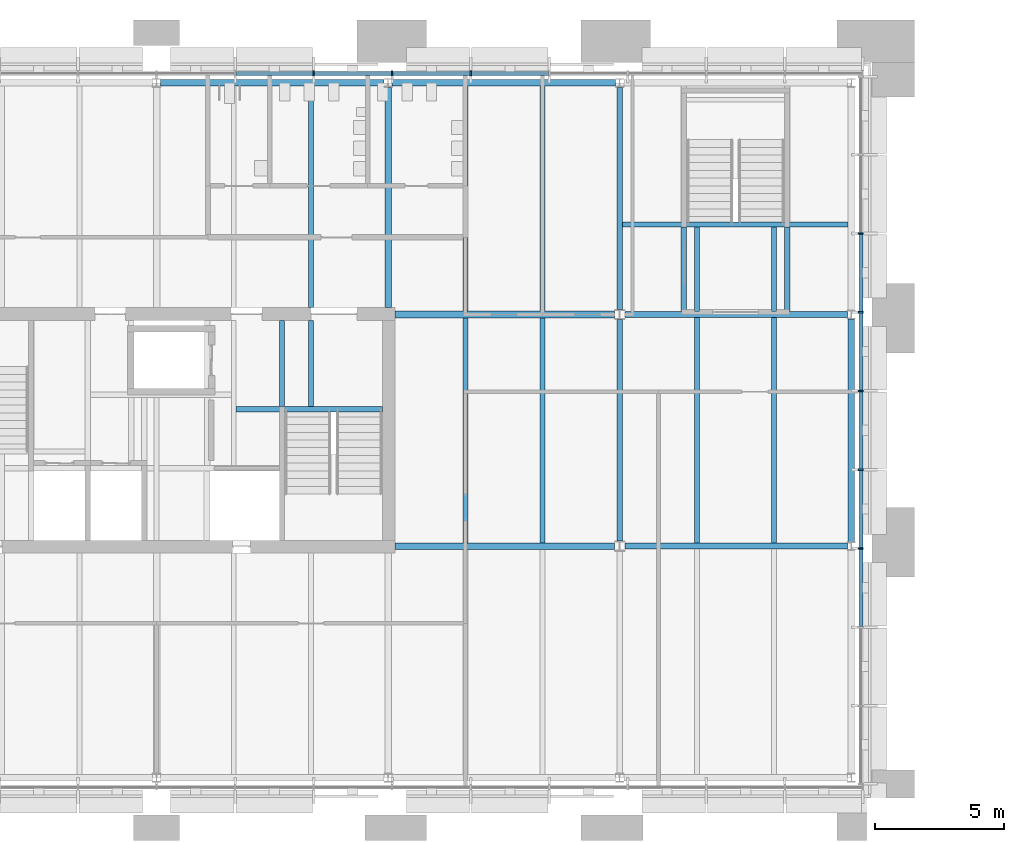
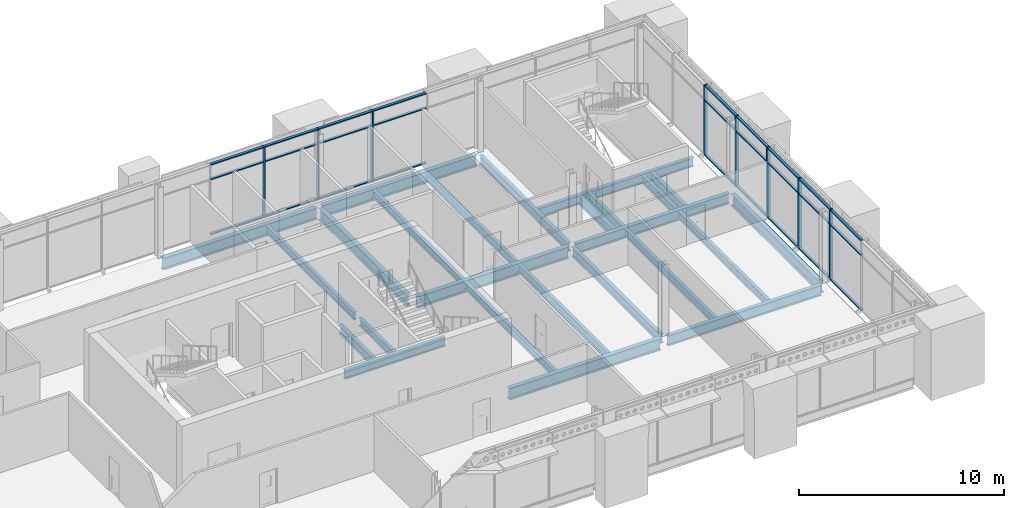
# One storey, part 15 of 37: 35 members, 25 beams, 2 elements without a shape of their own.
"""IFC4 building model written with IfcOpenShell, lengths in metres."""

from ifc_helpers import new_model, si_unit, direction, frame, origin, origin_2d, place, context, subcontext, project, spatial, rectangle, i_section, extrude, material, material_profile, profile_set, type_object, element, aggregate, save


model = new_model("IFC4")

# Units and contexts
model_context = context("Model", 3, precision=1e-05, world=origin(), true_north=direction((0.0, 1.0)))
body_context = subcontext(model_context, "Body", "Model", "MODEL_VIEW")
ifc_project = project(units=[si_unit("LENGTHUNIT", "METRE"), si_unit("AREAUNIT", "SQUARE_METRE"), si_unit("VOLUMEUNIT", "CUBIC_METRE"), si_unit("PLANEANGLEUNIT", "RADIAN"), si_unit("MASSUNIT", "GRAM", prefix="KILO")], contexts=[model_context])

# Site, building, storey
site_placement = place(None, origin())
site = spatial("IfcSite", under=ifc_project, at=site_placement, CompositionType="ELEMENT")
building_placement = place(site_placement, origin())
building = spatial("IfcBuilding", under=site, at=building_placement, Name="Baradari Gate Terminus", CompositionType="ELEMENT")
storey_placement = place(building_placement, frame((0.0, 0.0, 24.300048828125)))
storey = spatial("IfcBuildingStorey", under=building, at=storey_placement, Name="L05", CompositionType="ELEMENT", Elevation=24.300048828125)

# Beams
ifc_material_1 = material(Name="Steel S355", Category="steel")
ifc_material_profile_1 = material_profile(ifc_material_1, i_section(OverallWidth=0.19140625, OverallDepth=0.4599609375, WebThickness=0.010009765625, FlangeThickness=0.01611328125, FilletRadius=0.01025390625, at=origin_2d()), Name="UB 457x191x82")
ifc_profile_set_1 = profile_set([ifc_material_profile_1], Name="Steel S355")
beam_type_1 = type_object("IfcBeamType", Name="Core floor beam B23 UB 457x191x82", PredefinedType="BEAM", material=ifc_profile_set_1)
beam_1_placement = place(storey_placement, frame((42.0, 131.4296875, -0.360107421875), z_axis=(0.0, 1.0, 0.0), x_axis=(-1.0, 0.0, 0.0)))
element("IfcBeam", 1, at=beam_1_placement, inside=storey, type_object=beam_type_1, Name="Core floor beam B23 42:131.43-134.775 L05", PredefinedType="BEAM", context=body_context, shape_type="SweptSolid", body=[
    extrude(i_section(OverallWidth=0.19140625, OverallDepth=0.4599609375, WebThickness=0.010009765625, FlangeThickness=0.01611328125, FilletRadius=0.01025390625, at=origin_2d()), origin(), (0.0, 0.0, 1.0), 3.34521484375),
])
ifc_material_2 = material(Name="Steel S355", Category="steel")
ifc_material_profile_2 = material_profile(ifc_material_2, i_section(OverallWidth=0.209228515625, OverallDepth=0.533203125, WebThickness=0.010009765625, FlangeThickness=0.015625, FilletRadius=0.0126953125, at=origin_2d()), Name="UB 533x210x92")
ifc_profile_set_2 = profile_set([ifc_material_profile_2], Name="Steel S355")
beam_type_2 = type_object("IfcBeamType", Name="Core floor trimmer beam B22 UB 533x210x92", PredefinedType="BEAM", material=ifc_profile_set_2)
beam_2_placement = place(storey_placement, frame((39.095703125, 131.324951171875, -0.396484375), z_axis=(1.0, 0.0, 0.0), x_axis=(0.0, 1.0, 0.0)))
element("IfcBeam", 2, at=beam_2_placement, inside=storey, type_object=beam_type_2, Name="Core floor trimmer beam B22 131.325:39.096-44.775 L05", PredefinedType="BEAM", context=body_context, shape_type="SweptSolid", body=[
    extrude(i_section(OverallWidth=0.209228515625, OverallDepth=0.533203125, WebThickness=0.010009765625, FlangeThickness=0.015625, FilletRadius=0.0126953125, at=origin_2d()), origin(), (0.0, 0.0, 1.0), 5.67919921875),
])
beam_3_placement = place(storey_placement, frame((40.875, 131.4296875, -0.396484375), z_axis=(0.0, 1.0, 0.0), x_axis=(-1.0, 0.0, 0.0)))
element("IfcBeam", 3, at=beam_3_placement, inside=storey, type_object=beam_type_2, Name="Core floor trimmer beam B22 40.875:131.43-134.775 L05", PredefinedType="BEAM", context=body_context, shape_type="SweptSolid", body=[
    extrude(i_section(OverallWidth=0.209228515625, OverallDepth=0.533203125, WebThickness=0.010009765625, FlangeThickness=0.015625, FilletRadius=0.0126953125, at=origin_2d()), origin(), (0.0, 0.0, 1.0), 3.34521484375),
])

# Curtain wall, members
ifc_material_3 = material(Name="Aluminium 6063-T6", Category="aluminium")
curtain_wall_type = type_object("IfcCurtainWallType", Name="Curtain wall CW-1 block unitised, zone L02-L05", PredefinedType="NOTDEFINED", material=ifc_material_3)
curtain_wall_1_placement = place(storey_placement, origin())
curtain_wall_1 = element("IfcCurtainWall", 4, at=curtain_wall_1_placement, inside=storey, type_object=curtain_wall_type, Name="Curtain wall CW-1 Operations block N face L05", PredefinedType="NOTDEFINED")
ifc_material_4 = material(Name="Aluminium 6063-T6", Category="aluminium")
ifc_material_profile_3 = material_profile(ifc_material_4, rectangle(XDim=0.199951171875, YDim=0.06494140625, at=origin_2d()), Name="CM-1 65X200")
ifc_profile_set_3 = profile_set([ifc_material_profile_3], Name="Aluminium 6063-T6")
member_type_1 = type_object("IfcMemberType", Name="Curtain wall mullion CM-1 65x200", PredefinedType="MULLION", material=ifc_profile_set_3)
member_1_placement = place(storey_placement, frame((42.1044921875, 144.3701171875, 0.0), z_axis=(0.0, 0.0, 1.0), x_axis=(0.0, 1.0, 0.0)))
member_1 = element("IfcMember", 5, at=member_1_placement, type_object=member_type_1, Name="CW-1 mullion 12", PredefinedType="MULLION", context=body_context, shape_type="SweptSolid", body=[
    extrude(rectangle(XDim=0.199951171875, YDim=0.06494140625, at=origin_2d()), origin(), (0.0, 0.0, 1.0), 4.199951171875),
])
member_2_placement = place(storey_placement, frame((45.15673828125, 144.3701171875, 0.0), z_axis=(0.0, 0.0, 1.0), x_axis=(0.0, 1.0, 0.0)))
member_2 = element("IfcMember", 6, at=member_2_placement, type_object=member_type_1, Name="CW-1 mullion 13", PredefinedType="MULLION", context=body_context, shape_type="SweptSolid", body=[
    extrude(rectangle(XDim=0.199951171875, YDim=0.06494140625, at=origin_2d()), origin(), (0.0, 0.0, 1.0), 4.199951171875),
])
member_3_placement = place(storey_placement, frame((48.208984375, 144.3701171875, 0.0), z_axis=(0.0, 0.0, 1.0), x_axis=(0.0, 1.0, 0.0)))
member_3 = element("IfcMember", 7, at=member_3_placement, type_object=member_type_1, Name="CW-1 mullion 14", PredefinedType="MULLION", context=body_context, shape_type="SweptSolid", body=[
    extrude(rectangle(XDim=0.199951171875, YDim=0.06494140625, at=origin_2d()), origin(), (0.0, 0.0, 1.0), 4.199951171875),
])

curtain_wall_2_placement = place(storey_placement, origin())
curtain_wall_2 = element("IfcCurtainWall", 8, at=curtain_wall_2_placement, inside=storey, type_object=curtain_wall_type, Name="Curtain wall CW-1 Operations block E face L05", PredefinedType="NOTDEFINED")
member_4_placement = place(storey_placement, frame((63.3701171875, 125.909912109375, 0.0), z_axis=(0.0, 0.0, 1.0), x_axis=(-1.0, 0.0, 0.0)))
member_4 = element("IfcMember", 9, at=member_4_placement, type_object=member_type_1, Name="CW-1 mullion 4", PredefinedType="MULLION", context=body_context, shape_type="SweptSolid", body=[
    extrude(rectangle(XDim=0.199951171875, YDim=0.06494140625, at=origin_2d()), origin(), (0.0, 0.0, 1.0), 4.199951171875),
])
member_5_placement = place(storey_placement, frame((63.3701171875, 128.969970703125, 0.0), z_axis=(0.0, 0.0, 1.0), x_axis=(-1.0, 0.0, 0.0)))
member_5 = element("IfcMember", 10, at=member_5_placement, type_object=member_type_1, Name="CW-1 mullion 5", PredefinedType="MULLION", context=body_context, shape_type="SweptSolid", body=[
    extrude(rectangle(XDim=0.199951171875, YDim=0.06494140625, at=origin_2d()), origin(), (0.0, 0.0, 1.0), 4.199951171875),
])
member_6_placement = place(storey_placement, frame((63.3701171875, 132.030029296875, 0.0), z_axis=(0.0, 0.0, 1.0), x_axis=(-1.0, 0.0, 0.0)))
member_6 = element("IfcMember", 11, at=member_6_placement, type_object=member_type_1, Name="CW-1 mullion 6", PredefinedType="MULLION", context=body_context, shape_type="SweptSolid", body=[
    extrude(rectangle(XDim=0.199951171875, YDim=0.06494140625, at=origin_2d()), origin(), (0.0, 0.0, 1.0), 4.199951171875),
])
member_7_placement = place(storey_placement, frame((63.3701171875, 135.090087890625, 0.0), z_axis=(0.0, 0.0, 1.0), x_axis=(-1.0, 0.0, 0.0)))
member_7 = element("IfcMember", 12, at=member_7_placement, type_object=member_type_1, Name="CW-1 mullion 7", PredefinedType="MULLION", context=body_context, shape_type="SweptSolid", body=[
    extrude(rectangle(XDim=0.199951171875, YDim=0.06494140625, at=origin_2d()), origin(), (0.0, 0.0, 1.0), 4.199951171875),
])
member_8_placement = place(storey_placement, frame((63.3701171875, 138.14990234375, 0.0), z_axis=(0.0, 0.0, 1.0), x_axis=(-1.0, 0.0, 0.0)))
member_8 = element("IfcMember", 13, at=member_8_placement, type_object=member_type_1, Name="CW-1 mullion 8", PredefinedType="MULLION", context=body_context, shape_type="SweptSolid", body=[
    extrude(rectangle(XDim=0.199951171875, YDim=0.06494140625, at=origin_2d()), origin(), (0.0, 0.0, 1.0), 4.199951171875),
])

# Member
ifc_material_5 = material(Name="Aluminium 6063-T6", Category="aluminium")
ifc_material_profile_4 = material_profile(ifc_material_5, rectangle(XDim=0.14990234375, YDim=0.06494140625, at=origin_2d()), Name="CT-1 65X150")
ifc_profile_set_4 = profile_set([ifc_material_profile_4], Name="Aluminium 6063-T6")
member_type_2 = type_object("IfcMemberType", Name="Curtain wall transom CT-1 65x150", PredefinedType="USERDEFINED", material=ifc_profile_set_4)
member_9_placement = place(storey_placement, frame((39.084716796875, 144.3701171875, 0.032470703125), z_axis=(1.0, 0.0, 0.0), x_axis=(0.0, 1.0, 0.0)))
member_9 = element("IfcMember", 14, at=member_9_placement, type_object=member_type_2, Name="CW-1 transom 11.1", ObjectType="TRANSOM", PredefinedType="USERDEFINED", context=body_context, shape_type="SweptSolid", body=[
    extrude(rectangle(XDim=0.14990234375, YDim=0.06494140625, at=origin_2d()), origin(), (0.0, 0.0, 1.0), 2.9873046875),
])

member_10_placement = place(storey_placement, frame((39.084716796875, 144.3701171875, 3.300048828125), z_axis=(1.0, 0.0, 0.0), x_axis=(0.0, 1.0, 0.0)))
member_10 = element("IfcMember", 15, at=member_10_placement, type_object=member_type_2, Name="CW-1 transom 11.2", ObjectType="TRANSOM", PredefinedType="USERDEFINED", context=body_context, shape_type="SweptSolid", body=[
    extrude(rectangle(XDim=0.14990234375, YDim=0.06494140625, at=origin_2d()), origin(), (0.0, 0.0, 1.0), 2.9873046875),
])

member_11_placement = place(storey_placement, frame((39.084716796875, 144.3701171875, 4.16748046875), z_axis=(1.0, 0.0, 0.0), x_axis=(0.0, 1.0, 0.0)))
member_11 = element("IfcMember", 16, at=member_11_placement, type_object=member_type_2, Name="CW-1 transom 11.3", ObjectType="TRANSOM", PredefinedType="USERDEFINED", context=body_context, shape_type="SweptSolid", body=[
    extrude(rectangle(XDim=0.14990234375, YDim=0.06494140625, at=origin_2d()), origin(), (0.0, 0.0, 1.0), 2.9873046875),
])

member_12_placement = place(storey_placement, frame((42.136962890625, 144.3701171875, 0.032470703125), z_axis=(1.0, 0.0, 0.0), x_axis=(0.0, 1.0, 0.0)))
member_12 = element("IfcMember", 17, at=member_12_placement, type_object=member_type_2, Name="CW-1 transom 12.1", ObjectType="TRANSOM", PredefinedType="USERDEFINED", context=body_context, shape_type="SweptSolid", body=[
    extrude(rectangle(XDim=0.14990234375, YDim=0.06494140625, at=origin_2d()), origin(), (0.0, 0.0, 1.0), 2.9873046875),
])

member_13_placement = place(storey_placement, frame((42.136962890625, 144.3701171875, 3.300048828125), z_axis=(1.0, 0.0, 0.0), x_axis=(0.0, 1.0, 0.0)))
member_13 = element("IfcMember", 18, at=member_13_placement, type_object=member_type_2, Name="CW-1 transom 12.2", ObjectType="TRANSOM", PredefinedType="USERDEFINED", context=body_context, shape_type="SweptSolid", body=[
    extrude(rectangle(XDim=0.14990234375, YDim=0.06494140625, at=origin_2d()), origin(), (0.0, 0.0, 1.0), 2.9873046875),
])

member_14_placement = place(storey_placement, frame((42.136962890625, 144.3701171875, 4.16748046875), z_axis=(1.0, 0.0, 0.0), x_axis=(0.0, 1.0, 0.0)))
member_14 = element("IfcMember", 19, at=member_14_placement, type_object=member_type_2, Name="CW-1 transom 12.3", ObjectType="TRANSOM", PredefinedType="USERDEFINED", context=body_context, shape_type="SweptSolid", body=[
    extrude(rectangle(XDim=0.14990234375, YDim=0.06494140625, at=origin_2d()), origin(), (0.0, 0.0, 1.0), 2.9873046875),
])

member_15_placement = place(storey_placement, frame((45.189208984375, 144.3701171875, 0.032470703125), z_axis=(1.0, 0.0, 0.0), x_axis=(0.0, 1.0, 0.0)))
member_15 = element("IfcMember", 20, at=member_15_placement, type_object=member_type_2, Name="CW-1 transom 13.1", ObjectType="TRANSOM", PredefinedType="USERDEFINED", context=body_context, shape_type="SweptSolid", body=[
    extrude(rectangle(XDim=0.14990234375, YDim=0.06494140625, at=origin_2d()), origin(), (0.0, 0.0, 1.0), 2.987060546875),
])

member_16_placement = place(storey_placement, frame((45.189208984375, 144.3701171875, 3.300048828125), z_axis=(1.0, 0.0, 0.0), x_axis=(0.0, 1.0, 0.0)))
member_16 = element("IfcMember", 21, at=member_16_placement, type_object=member_type_2, Name="CW-1 transom 13.2", ObjectType="TRANSOM", PredefinedType="USERDEFINED", context=body_context, shape_type="SweptSolid", body=[
    extrude(rectangle(XDim=0.14990234375, YDim=0.06494140625, at=origin_2d()), origin(), (0.0, 0.0, 1.0), 2.987060546875),
])

member_17_placement = place(storey_placement, frame((45.189208984375, 144.3701171875, 4.16748046875), z_axis=(1.0, 0.0, 0.0), x_axis=(0.0, 1.0, 0.0)))
member_17 = element("IfcMember", 22, at=member_17_placement, type_object=member_type_2, Name="CW-1 transom 13.3", ObjectType="TRANSOM", PredefinedType="USERDEFINED", context=body_context, shape_type="SweptSolid", body=[
    extrude(rectangle(XDim=0.14990234375, YDim=0.06494140625, at=origin_2d()), origin(), (0.0, 0.0, 1.0), 2.987060546875),
])

member_18_placement = place(storey_placement, frame((48.241455078125, 144.3701171875, 0.032470703125), z_axis=(1.0, 0.0, 0.0), x_axis=(0.0, 1.0, 0.0)))
member_18 = element("IfcMember", 23, at=member_18_placement, type_object=member_type_2, Name="CW-1 transom 14.1", ObjectType="TRANSOM", PredefinedType="USERDEFINED", context=body_context, shape_type="SweptSolid", body=[
    extrude(rectangle(XDim=0.14990234375, YDim=0.06494140625, at=origin_2d()), origin(), (0.0, 0.0, 1.0), 2.987060546875),
])

member_19_placement = place(storey_placement, frame((48.241455078125, 144.3701171875, 3.300048828125), z_axis=(1.0, 0.0, 0.0), x_axis=(0.0, 1.0, 0.0)))
member_19 = element("IfcMember", 24, at=member_19_placement, type_object=member_type_2, Name="CW-1 transom 14.2", ObjectType="TRANSOM", PredefinedType="USERDEFINED", context=body_context, shape_type="SweptSolid", body=[
    extrude(rectangle(XDim=0.14990234375, YDim=0.06494140625, at=origin_2d()), origin(), (0.0, 0.0, 1.0), 2.987060546875),
])

member_20_placement = place(storey_placement, frame((48.241455078125, 144.3701171875, 4.16748046875), z_axis=(1.0, 0.0, 0.0), x_axis=(0.0, 1.0, 0.0)))
member_20 = element("IfcMember", 25, at=member_20_placement, type_object=member_type_2, Name="CW-1 transom 14.3", ObjectType="TRANSOM", PredefinedType="USERDEFINED", context=body_context, shape_type="SweptSolid", body=[
    extrude(rectangle(XDim=0.14990234375, YDim=0.06494140625, at=origin_2d()), origin(), (0.0, 0.0, 1.0), 2.987060546875),
])

aggregate(curtain_wall_1, [member_1, member_2, member_3, member_9, member_10, member_11, member_12, member_13, member_14, member_15, member_16, member_17, member_18, member_19, member_20])

member_21_placement = place(storey_placement, frame((63.3701171875, 122.882568359375, 0.032470703125), z_axis=(0.0, 1.0, 0.0), x_axis=(-1.0, 0.0, 0.0)))
member_21 = element("IfcMember", 26, at=member_21_placement, type_object=member_type_2, Name="CW-1 transom 3.1", ObjectType="TRANSOM", PredefinedType="USERDEFINED", context=body_context, shape_type="SweptSolid", body=[
    extrude(rectangle(XDim=0.14990234375, YDim=0.06494140625, at=origin_2d()), origin(), (0.0, 0.0, 1.0), 2.994873046875),
])

member_22_placement = place(storey_placement, frame((63.3701171875, 122.882568359375, 3.300048828125), z_axis=(0.0, 1.0, 0.0), x_axis=(-1.0, 0.0, 0.0)))
member_22 = element("IfcMember", 27, at=member_22_placement, type_object=member_type_2, Name="CW-1 transom 3.2", ObjectType="TRANSOM", PredefinedType="USERDEFINED", context=body_context, shape_type="SweptSolid", body=[
    extrude(rectangle(XDim=0.14990234375, YDim=0.06494140625, at=origin_2d()), origin(), (0.0, 0.0, 1.0), 2.994873046875),
])

member_23_placement = place(storey_placement, frame((63.3701171875, 122.882568359375, 4.16748046875), z_axis=(0.0, 1.0, 0.0), x_axis=(-1.0, 0.0, 0.0)))
member_23 = element("IfcMember", 28, at=member_23_placement, type_object=member_type_2, Name="CW-1 transom 3.3", ObjectType="TRANSOM", PredefinedType="USERDEFINED", context=body_context, shape_type="SweptSolid", body=[
    extrude(rectangle(XDim=0.14990234375, YDim=0.06494140625, at=origin_2d()), origin(), (0.0, 0.0, 1.0), 2.994873046875),
])

member_24_placement = place(storey_placement, frame((63.3701171875, 125.9423828125, 0.032470703125), z_axis=(0.0, 1.0, 0.0), x_axis=(-1.0, 0.0, 0.0)))
member_24 = element("IfcMember", 29, at=member_24_placement, type_object=member_type_2, Name="CW-1 transom 4.1", ObjectType="TRANSOM", PredefinedType="USERDEFINED", context=body_context, shape_type="SweptSolid", body=[
    extrude(rectangle(XDim=0.14990234375, YDim=0.06494140625, at=origin_2d()), origin(), (0.0, 0.0, 1.0), 2.9951171875),
])

member_25_placement = place(storey_placement, frame((63.3701171875, 125.9423828125, 3.300048828125), z_axis=(0.0, 1.0, 0.0), x_axis=(-1.0, 0.0, 0.0)))
member_25 = element("IfcMember", 30, at=member_25_placement, type_object=member_type_2, Name="CW-1 transom 4.2", ObjectType="TRANSOM", PredefinedType="USERDEFINED", context=body_context, shape_type="SweptSolid", body=[
    extrude(rectangle(XDim=0.14990234375, YDim=0.06494140625, at=origin_2d()), origin(), (0.0, 0.0, 1.0), 2.9951171875),
])

member_26_placement = place(storey_placement, frame((63.3701171875, 125.9423828125, 4.16748046875), z_axis=(0.0, 1.0, 0.0), x_axis=(-1.0, 0.0, 0.0)))
member_26 = element("IfcMember", 31, at=member_26_placement, type_object=member_type_2, Name="CW-1 transom 4.3", ObjectType="TRANSOM", PredefinedType="USERDEFINED", context=body_context, shape_type="SweptSolid", body=[
    extrude(rectangle(XDim=0.14990234375, YDim=0.06494140625, at=origin_2d()), origin(), (0.0, 0.0, 1.0), 2.9951171875),
])

member_27_placement = place(storey_placement, frame((63.3701171875, 129.00244140625, 0.032470703125), z_axis=(0.0, 1.0, 0.0), x_axis=(-1.0, 0.0, 0.0)))
member_27 = element("IfcMember", 32, at=member_27_placement, type_object=member_type_2, Name="CW-1 transom 5.1", ObjectType="TRANSOM", PredefinedType="USERDEFINED", context=body_context, shape_type="SweptSolid", body=[
    extrude(rectangle(XDim=0.14990234375, YDim=0.06494140625, at=origin_2d()), origin(), (0.0, 0.0, 1.0), 2.9951171875),
])

member_28_placement = place(storey_placement, frame((63.3701171875, 129.00244140625, 3.300048828125), z_axis=(0.0, 1.0, 0.0), x_axis=(-1.0, 0.0, 0.0)))
member_28 = element("IfcMember", 33, at=member_28_placement, type_object=member_type_2, Name="CW-1 transom 5.2", ObjectType="TRANSOM", PredefinedType="USERDEFINED", context=body_context, shape_type="SweptSolid", body=[
    extrude(rectangle(XDim=0.14990234375, YDim=0.06494140625, at=origin_2d()), origin(), (0.0, 0.0, 1.0), 2.9951171875),
])

member_29_placement = place(storey_placement, frame((63.3701171875, 129.00244140625, 4.16748046875), z_axis=(0.0, 1.0, 0.0), x_axis=(-1.0, 0.0, 0.0)))
member_29 = element("IfcMember", 34, at=member_29_placement, type_object=member_type_2, Name="CW-1 transom 5.3", ObjectType="TRANSOM", PredefinedType="USERDEFINED", context=body_context, shape_type="SweptSolid", body=[
    extrude(rectangle(XDim=0.14990234375, YDim=0.06494140625, at=origin_2d()), origin(), (0.0, 0.0, 1.0), 2.9951171875),
])

member_30_placement = place(storey_placement, frame((63.3701171875, 132.0625, 0.032470703125), z_axis=(0.0, 1.0, 0.0), x_axis=(-1.0, 0.0, 0.0)))
member_30 = element("IfcMember", 35, at=member_30_placement, type_object=member_type_2, Name="CW-1 transom 6.1", ObjectType="TRANSOM", PredefinedType="USERDEFINED", context=body_context, shape_type="SweptSolid", body=[
    extrude(rectangle(XDim=0.14990234375, YDim=0.06494140625, at=origin_2d()), origin(), (0.0, 0.0, 1.0), 2.9951171875),
])

member_31_placement = place(storey_placement, frame((63.3701171875, 132.0625, 3.300048828125), z_axis=(0.0, 1.0, 0.0), x_axis=(-1.0, 0.0, 0.0)))
member_31 = element("IfcMember", 36, at=member_31_placement, type_object=member_type_2, Name="CW-1 transom 6.2", ObjectType="TRANSOM", PredefinedType="USERDEFINED", context=body_context, shape_type="SweptSolid", body=[
    extrude(rectangle(XDim=0.14990234375, YDim=0.06494140625, at=origin_2d()), origin(), (0.0, 0.0, 1.0), 2.9951171875),
])

member_32_placement = place(storey_placement, frame((63.3701171875, 132.0625, 4.16748046875), z_axis=(0.0, 1.0, 0.0), x_axis=(-1.0, 0.0, 0.0)))
member_32 = element("IfcMember", 37, at=member_32_placement, type_object=member_type_2, Name="CW-1 transom 6.3", ObjectType="TRANSOM", PredefinedType="USERDEFINED", context=body_context, shape_type="SweptSolid", body=[
    extrude(rectangle(XDim=0.14990234375, YDim=0.06494140625, at=origin_2d()), origin(), (0.0, 0.0, 1.0), 2.9951171875),
])

member_33_placement = place(storey_placement, frame((63.3701171875, 135.12255859375, 0.032470703125), z_axis=(0.0, 1.0, 0.0), x_axis=(-1.0, 0.0, 0.0)))
member_33 = element("IfcMember", 38, at=member_33_placement, type_object=member_type_2, Name="CW-1 transom 7.1", ObjectType="TRANSOM", PredefinedType="USERDEFINED", context=body_context, shape_type="SweptSolid", body=[
    extrude(rectangle(XDim=0.14990234375, YDim=0.06494140625, at=origin_2d()), origin(), (0.0, 0.0, 1.0), 2.994873046875),
])

member_34_placement = place(storey_placement, frame((63.3701171875, 135.12255859375, 3.300048828125), z_axis=(0.0, 1.0, 0.0), x_axis=(-1.0, 0.0, 0.0)))
member_34 = element("IfcMember", 39, at=member_34_placement, type_object=member_type_2, Name="CW-1 transom 7.2", ObjectType="TRANSOM", PredefinedType="USERDEFINED", context=body_context, shape_type="SweptSolid", body=[
    extrude(rectangle(XDim=0.14990234375, YDim=0.06494140625, at=origin_2d()), origin(), (0.0, 0.0, 1.0), 2.994873046875),
])

member_35_placement = place(storey_placement, frame((63.3701171875, 135.12255859375, 4.16748046875), z_axis=(0.0, 1.0, 0.0), x_axis=(-1.0, 0.0, 0.0)))
member_35 = element("IfcMember", 40, at=member_35_placement, type_object=member_type_2, Name="CW-1 transom 7.3", ObjectType="TRANSOM", PredefinedType="USERDEFINED", context=body_context, shape_type="SweptSolid", body=[
    extrude(rectangle(XDim=0.14990234375, YDim=0.06494140625, at=origin_2d()), origin(), (0.0, 0.0, 1.0), 2.994873046875),
])

aggregate(curtain_wall_2, [member_4, member_5, member_6, member_7, member_8, member_21, member_22, member_23, member_24, member_25, member_26, member_27, member_28, member_29, member_30, member_31, member_32, member_33, member_34, member_35])

# Beams
ifc_material_6 = material(Name="Steel S355", Category="steel")
ifc_material_profile_5 = material_profile(ifc_material_6, i_section(OverallWidth=0.25439453125, OverallDepth=0.6875, WebThickness=0.01318359375, FlangeThickness=0.02099609375, FilletRadius=0.01513671875, at=origin_2d()), Name="UB 686x254x152")
ifc_profile_set_5 = profile_set([ifc_material_profile_5], Name="Steel S355")
beam_type_3 = type_object("IfcBeamType", Name="Operations block coupling beam B26 UB 686x254x152", PredefinedType="BEAM", material=ifc_profile_set_5)
for number, where, z_axis, x_axis, name in (
    (41, (45.27490234375, 126.0, -0.473876953125), (1.0, 0.0, 0.0), (0.0, 1.0, 0.0), "Operations block coupling beam B26 Q:45.275-53.803 L05"),
    (42, (45.27490234375, 135.0, -0.473876953125), (1.0, 0.0, 0.0), (0.0, 1.0, 0.0), "Operations block coupling beam B26 R:45.275-53.803 L05"),
):
    element("IfcBeam", number, at=place(storey_placement, frame(where, z_axis=z_axis, x_axis=x_axis)), inside=storey, type_object=beam_type_3, Name=name, PredefinedType="BEAM", context=body_context, shape_type="SweptSolid", body=[
        extrude(i_section(OverallWidth=0.25439453125, OverallDepth=0.6875, WebThickness=0.01318359375, FlangeThickness=0.02099609375, FilletRadius=0.01513671875, at=origin_2d()), origin(), (0.0, 0.0, 1.0), 8.527587890625),
    ])
beam_4_placement = place(storey_placement, frame((45.0, 135.27490234375, -0.473876953125), z_axis=(0.0, 1.0, 0.0), x_axis=(-1.0, 0.0, 0.0)))
element("IfcBeam", 43, at=beam_4_placement, inside=storey, type_object=beam_type_3, Name="Operations block coupling beam B26 6:135.275-143.83 L05", PredefinedType="BEAM", context=body_context, shape_type="SweptSolid", body=[
    extrude(i_section(OverallWidth=0.25439453125, OverallDepth=0.6875, WebThickness=0.01318359375, FlangeThickness=0.02099609375, FilletRadius=0.01513671875, at=origin_2d()), origin(), (0.0, 0.0, 1.0), 8.55517578125),
])
ifc_material_7 = material(Name="Steel S355", Category="steel")
ifc_material_profile_6 = material_profile(ifc_material_7, i_section(OverallWidth=0.22900390625, OverallDepth=0.6123046875, WebThickness=0.011962890625, FlangeThickness=0.01953125, FilletRadius=0.0126953125, at=origin_2d()), Name="UB 610x229x125")
ifc_profile_set_6 = profile_set([ifc_material_profile_6], Name="Steel S355")
beam_type_4 = type_object("IfcBeamType", Name="Operations block girder B25 UB 610x229x125", PredefinedType="BEAM", material=ifc_profile_set_6)
for number, where, z_axis, x_axis, name in (
    (44, (54.197509765625, 126.0, -0.43603515625), (1.0, 0.0, 0.0), (0.0, 1.0, 0.0), "Operations block girder B25 Q:54.197-62.843 L05"),
    (45, (54.197509765625, 135.0, -0.43603515625), (1.0, 0.0, 0.0), (0.0, 1.0, 0.0), "Operations block girder B25 R:54.197-62.843 L05"),
):
    element("IfcBeam", number, at=place(storey_placement, frame(where, z_axis=z_axis, x_axis=x_axis)), inside=storey, type_object=beam_type_4, Name=name, PredefinedType="BEAM", context=body_context, shape_type="SweptSolid", body=[
        extrude(i_section(OverallWidth=0.22900390625, OverallDepth=0.6123046875, WebThickness=0.011962890625, FlangeThickness=0.01953125, FilletRadius=0.0126953125, at=origin_2d()), origin(), (0.0, 0.0, 1.0), 8.645263671875),
    ])
ifc_material_8 = material(Name="Steel S355", Category="steel")
ifc_material_profile_7 = material_profile(ifc_material_8, i_section(OverallWidth=0.210693359375, OverallDepth=0.53955078125, WebThickness=0.01171875, FlangeThickness=0.018798828125, FilletRadius=0.0126953125, at=origin_2d()), Name="UB 533x210x109")
ifc_profile_set_7 = profile_set([ifc_material_profile_7], Name="Steel S355")
beam_type_5 = type_object("IfcBeamType", Name="Operations block girder B29 UB 533x210x109", PredefinedType="BEAM", material=ifc_profile_set_7)
beam_5_placement = place(storey_placement, frame((54.0, 126.1904296875, -0.39990234375), z_axis=(0.0, 1.0, 0.0), x_axis=(-1.0, 0.0, 0.0)))
element("IfcBeam", 46, at=beam_5_placement, inside=storey, type_object=beam_type_5, Name="Operations block girder B29 7:126.191-134.81 L05", PredefinedType="BEAM", context=body_context, shape_type="SweptSolid", body=[
    extrude(i_section(OverallWidth=0.210693359375, OverallDepth=0.53955078125, WebThickness=0.01171875, FlangeThickness=0.018798828125, FilletRadius=0.0126953125, at=origin_2d()), origin(), (0.0, 0.0, 1.0), 8.619140625),
])
beam_6_placement = place(storey_placement, frame((54.0, 135.1904296875, -0.39990234375), z_axis=(0.0, 1.0, 0.0), x_axis=(-1.0, 0.0, 0.0)))
element("IfcBeam", 47, at=beam_6_placement, inside=storey, type_object=beam_type_5, Name="Operations block girder B29 7:135.19-143.83 L05", PredefinedType="BEAM", context=body_context, shape_type="SweptSolid", body=[
    extrude(i_section(OverallWidth=0.210693359375, OverallDepth=0.53955078125, WebThickness=0.01171875, FlangeThickness=0.018798828125, FilletRadius=0.0126953125, at=origin_2d()), origin(), (0.0, 0.0, 1.0), 8.6396484375),
])
ifc_material_9 = material(Name="Steel S355", Category="steel")
ifc_material_profile_8 = material_profile(ifc_material_9, i_section(OverallWidth=0.25439453125, OverallDepth=0.6875, WebThickness=0.01318359375, FlangeThickness=0.02099609375, FilletRadius=0.01513671875, at=origin_2d()), Name="UB 686x254x152")
ifc_profile_set_8 = profile_set([ifc_material_profile_8], Name="Steel S355")
beam_type_6 = type_object("IfcBeamType", Name="Operations block moment frame beam B32 UB 686x254x152", PredefinedType="BEAM", material=ifc_profile_set_8)
for number, where, z_axis, x_axis, name in (
    (48, (36.1572265625, 144.0, -0.473876953125), (1.0, 0.0, 0.0), (0.0, 1.0, 0.0), "Operations block moment frame beam B32 S:36.157-44.843 L05"),
    (49, (45.1572265625, 144.0, -0.473876953125), (1.0, 0.0, 0.0), (0.0, 1.0, 0.0), "Operations block moment frame beam B32 S:45.157-53.843 L05"),
):
    element("IfcBeam", number, at=place(storey_placement, frame(where, z_axis=z_axis, x_axis=x_axis)), inside=storey, type_object=beam_type_6, Name=name, PredefinedType="BEAM", context=body_context, shape_type="SweptSolid", body=[
        extrude(i_section(OverallWidth=0.25439453125, OverallDepth=0.6875, WebThickness=0.01318359375, FlangeThickness=0.02099609375, FilletRadius=0.01513671875, at=origin_2d()), origin(), (0.0, 0.0, 1.0), 8.685546875),
    ])
beam_7_placement = place(storey_placement, frame((63.0, 126.169921875, -0.473876953125), z_axis=(0.0, 1.0, 0.0), x_axis=(-1.0, 0.0, 0.0)))
element("IfcBeam", 50, at=beam_7_placement, inside=storey, type_object=beam_type_6, Name="Operations block moment frame beam B32 8:126.17-134.83 L05", PredefinedType="BEAM", context=body_context, shape_type="SweptSolid", body=[
    extrude(i_section(OverallWidth=0.25439453125, OverallDepth=0.6875, WebThickness=0.01318359375, FlangeThickness=0.02099609375, FilletRadius=0.01513671875, at=origin_2d()), origin(), (0.0, 0.0, 1.0), 8.66015625),
])
ifc_material_10 = material(Name="Steel S355", Category="steel")
ifc_material_profile_9 = material_profile(ifc_material_10, i_section(OverallWidth=0.18994140625, OverallDepth=0.453369140625, WebThickness=0.008544921875, FlangeThickness=0.0126953125, FilletRadius=0.01025390625, at=origin_2d()), Name="UB 457x191x67")
ifc_profile_set_9 = profile_set([ifc_material_profile_9], Name="Steel S355")
beam_type_7 = type_object("IfcBeamType", Name="Operations block secondary beam B28 UB 457x191x67", PredefinedType="BEAM", material=ifc_profile_set_9)
beam_8_placement = place(storey_placement, frame((42.0, 135.27490234375, -0.356689453125), z_axis=(0.0, 1.0, 0.0), x_axis=(-1.0, 0.0, 0.0)))
element("IfcBeam", 51, at=beam_8_placement, inside=storey, type_object=beam_type_7, Name="Operations block secondary beam B28 42:135.275-143.873 L05", PredefinedType="BEAM", context=body_context, shape_type="SweptSolid", body=[
    extrude(i_section(OverallWidth=0.18994140625, OverallDepth=0.453369140625, WebThickness=0.008544921875, FlangeThickness=0.0126953125, FilletRadius=0.01025390625, at=origin_2d()), origin(), (0.0, 0.0, 1.0), 8.597900390625),
])
for number, where, z_axis, x_axis, name in (
    (52, (48.0, 126.127197265625, -0.356689453125), (0.0, 1.0, 0.0), (-1.0, 0.0, 0.0), "Operations block secondary beam B28 48:126.127-134.873 L05"),
    (53, (48.0, 135.127197265625, -0.356689453125), (0.0, 1.0, 0.0), (-1.0, 0.0, 0.0), "Operations block secondary beam B28 48:135.127-143.873 L05"),
    (54, (51.0, 126.127197265625, -0.356689453125), (0.0, 1.0, 0.0), (-1.0, 0.0, 0.0), "Operations block secondary beam B28 51:126.127-134.873 L05"),
    (55, (51.0, 135.127197265625, -0.356689453125), (0.0, 1.0, 0.0), (-1.0, 0.0, 0.0), "Operations block secondary beam B28 51:135.127-143.873 L05"),
):
    element("IfcBeam", number, at=place(storey_placement, frame(where, z_axis=z_axis, x_axis=x_axis)), inside=storey, type_object=beam_type_7, Name=name, PredefinedType="BEAM", context=body_context, shape_type="SweptSolid", body=[
        extrude(i_section(OverallWidth=0.18994140625, OverallDepth=0.453369140625, WebThickness=0.008544921875, FlangeThickness=0.0126953125, FilletRadius=0.01025390625, at=origin_2d()), origin(), (0.0, 0.0, 1.0), 8.74560546875),
    ])
beam_9_placement = place(storey_placement, frame((57.0, 126.114501953125, -0.356689453125), z_axis=(0.0, 1.0, 0.0), x_axis=(-1.0, 0.0, 0.0)))
element("IfcBeam", 56, at=beam_9_placement, inside=storey, type_object=beam_type_7, Name="Operations block secondary beam B28 57:126.115-134.886 L05", PredefinedType="BEAM", context=body_context, shape_type="SweptSolid", body=[
    extrude(i_section(OverallWidth=0.18994140625, OverallDepth=0.453369140625, WebThickness=0.008544921875, FlangeThickness=0.0126953125, FilletRadius=0.01025390625, at=origin_2d()), origin(), (0.0, 0.0, 1.0), 8.77099609375),
])
beam_10_placement = place(storey_placement, frame((57.0, 135.114501953125, -0.356689453125), z_axis=(0.0, 1.0, 0.0), x_axis=(-1.0, 0.0, 0.0)))
element("IfcBeam", 57, at=beam_10_placement, inside=storey, type_object=beam_type_7, Name="Operations block secondary beam B28 57:135.114-138.395 L05", PredefinedType="BEAM", context=body_context, shape_type="SweptSolid", body=[
    extrude(i_section(OverallWidth=0.18994140625, OverallDepth=0.453369140625, WebThickness=0.008544921875, FlangeThickness=0.0126953125, FilletRadius=0.01025390625, at=origin_2d()), origin(), (0.0, 0.0, 1.0), 3.281005859375),
])
beam_11_placement = place(storey_placement, frame((60.0, 126.114501953125, -0.356689453125), z_axis=(0.0, 1.0, 0.0), x_axis=(-1.0, 0.0, 0.0)))
element("IfcBeam", 58, at=beam_11_placement, inside=storey, type_object=beam_type_7, Name="Operations block secondary beam B28 60:126.115-134.886 L05", PredefinedType="BEAM", context=body_context, shape_type="SweptSolid", body=[
    extrude(i_section(OverallWidth=0.18994140625, OverallDepth=0.453369140625, WebThickness=0.008544921875, FlangeThickness=0.0126953125, FilletRadius=0.01025390625, at=origin_2d()), origin(), (0.0, 0.0, 1.0), 8.77099609375),
])
beam_12_placement = place(storey_placement, frame((60.0, 135.114501953125, -0.356689453125), z_axis=(0.0, 1.0, 0.0), x_axis=(-1.0, 0.0, 0.0)))
element("IfcBeam", 59, at=beam_12_placement, inside=storey, type_object=beam_type_7, Name="Operations block secondary beam B28 60:135.114-138.395 L05", PredefinedType="BEAM", context=body_context, shape_type="SweptSolid", body=[
    extrude(i_section(OverallWidth=0.18994140625, OverallDepth=0.453369140625, WebThickness=0.008544921875, FlangeThickness=0.0126953125, FilletRadius=0.01025390625, at=origin_2d()), origin(), (0.0, 0.0, 1.0), 3.281005859375),
])
ifc_material_11 = material(Name="Steel S355", Category="steel")
ifc_material_profile_10 = material_profile(ifc_material_11, i_section(OverallWidth=0.209228515625, OverallDepth=0.533203125, WebThickness=0.010009765625, FlangeThickness=0.015625, FilletRadius=0.0126953125, at=origin_2d()), Name="UB 533x210x92")
ifc_profile_set_10 = profile_set([ifc_material_profile_10], Name="Steel S355")
beam_type_8 = type_object("IfcBeamType", Name="Operations block trimmer beam B27 UB 533x210x92", PredefinedType="BEAM", material=ifc_profile_set_10)
beam_13_placement = place(storey_placement, frame((54.10546875, 138.5, -0.396484375), z_axis=(1.0, 0.0, 0.0), x_axis=(0.0, 1.0, 0.0)))
element("IfcBeam", 60, at=beam_13_placement, inside=storey, type_object=beam_type_8, Name="Operations block trimmer beam B27 138.5:54.105-62.873 L05", PredefinedType="BEAM", context=body_context, shape_type="SweptSolid", body=[
    extrude(i_section(OverallWidth=0.209228515625, OverallDepth=0.533203125, WebThickness=0.010009765625, FlangeThickness=0.015625, FilletRadius=0.0126953125, at=origin_2d()), origin(), (0.0, 0.0, 1.0), 8.767333984375),
])
for number, where, z_axis, x_axis, name in (
    (61, (56.4951171875, 135.114501953125, -0.396484375), (0.0, 1.0, 0.0), (-1.0, 0.0, 0.0), "Operations block trimmer beam B27 56.495:135.114-138.395 L05"),
    (62, (60.5048828125, 135.114501953125, -0.396484375), (0.0, 1.0, 0.0), (-1.0, 0.0, 0.0), "Operations block trimmer beam B27 60.505:135.114-138.395 L05"),
):
    element("IfcBeam", number, at=place(storey_placement, frame(where, z_axis=z_axis, x_axis=x_axis)), inside=storey, type_object=beam_type_8, Name=name, PredefinedType="BEAM", context=body_context, shape_type="SweptSolid", body=[
        extrude(i_section(OverallWidth=0.209228515625, OverallDepth=0.533203125, WebThickness=0.010009765625, FlangeThickness=0.015625, FilletRadius=0.0126953125, at=origin_2d()), origin(), (0.0, 0.0, 1.0), 3.281005859375),
    ])

save(model, "model.ifc")
